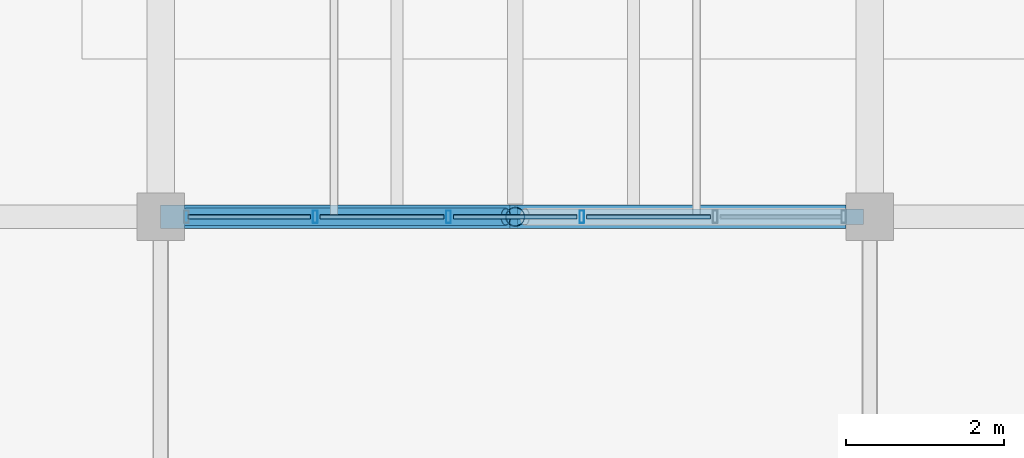
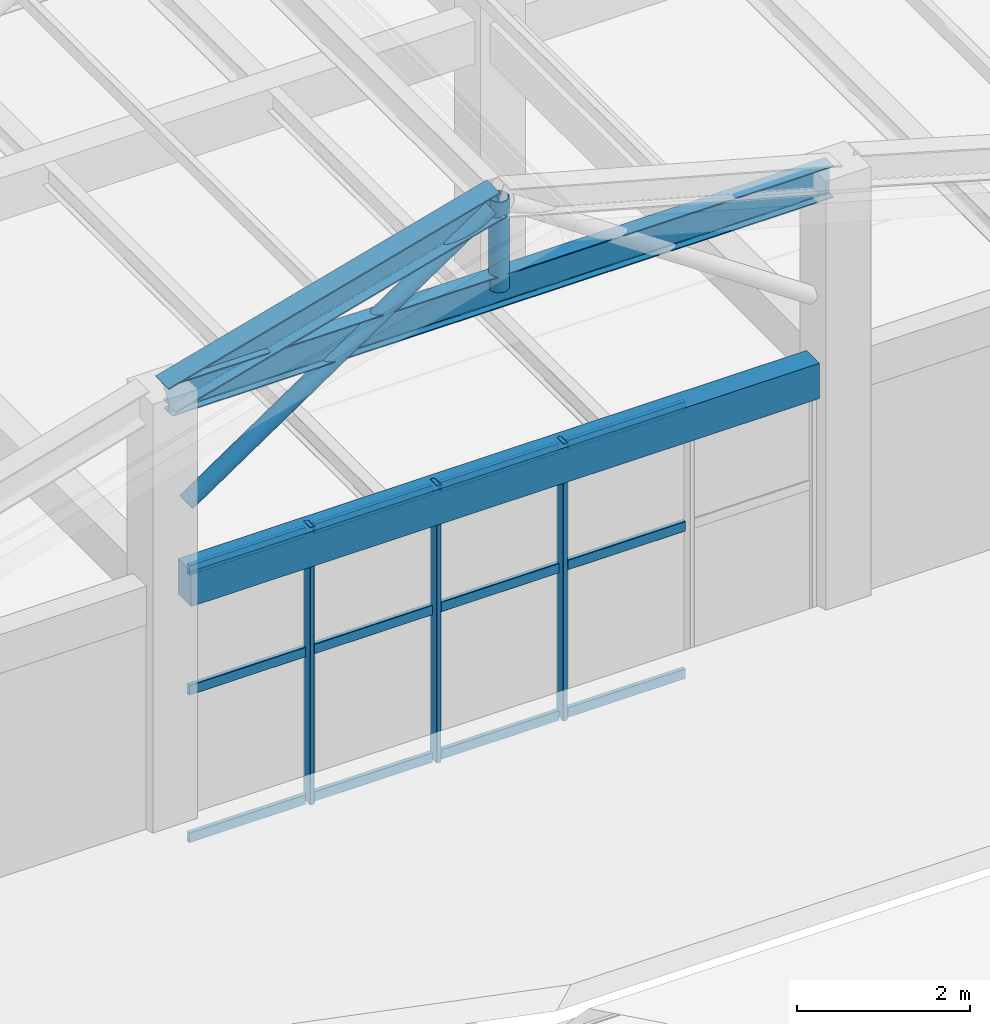
# One storey, part 10 of 58: 18 members, 2 beams, 1 element without a shape of its own.
"""IFC4 building model written with IfcOpenShell, lengths in metres."""

from ifc_helpers import new_model, si_unit, derived_unit, direction, frame, origin, origin_2d, place, context, subcontext, project, spatial, rectangle, hollow_rectangle, hollow_circle, i_section, extrude, material, material_profile, profile_set, type_object, element, aggregate, save


model = new_model("IFC4")

# Units and contexts
model_context = context("Model", 3, precision=1e-05, world=origin(), true_north=direction((0.0, 1.0)))
body_context = subcontext(model_context, "Body", "Model", "MODEL_VIEW")
ifc_project = project(units=[si_unit("LENGTHUNIT", "METRE"), si_unit("AREAUNIT", "SQUARE_METRE"), si_unit("VOLUMEUNIT", "CUBIC_METRE"), si_unit("PLANEANGLEUNIT", "RADIAN"), si_unit("MASSUNIT", "GRAM", prefix="KILO"), derived_unit("THERMALTRANSMITTANCEUNIT", [(si_unit("MASSUNIT", "GRAM", prefix="KILO"), 1), (si_unit("TIMEUNIT", "SECOND"), -3), (si_unit("THERMODYNAMICTEMPERATUREUNIT", "KELVIN"), -1)])], contexts=[model_context])

# Site, building, storey
site_placement = place(None, origin())
site = spatial("IfcSite", under=ifc_project, at=site_placement, CompositionType="ELEMENT")
building_placement = place(site_placement, origin())
building = spatial("IfcBuilding", under=site, at=building_placement, Name="Zhenchuan Archway Interchange", CompositionType="ELEMENT")
storey_placement = place(building_placement, frame((0.0, 0.0, 22.800048828125)))
storey = spatial("IfcBuildingStorey", under=building, at=storey_placement, Name="L05", CompositionType="ELEMENT", Elevation=22.800048828125)

# Beam
ifc_material_1 = material(Name="Steel Q355", Category="steel")
ifc_material_profile_1 = material_profile(ifc_material_1, i_section(OverallWidth=0.300048828125, OverallDepth=0.389892578125, WebThickness=0.010009765625, FlangeThickness=0.01611328125, FilletRadius=0.02001953125, at=origin_2d()), Name="HM 390x300")
ifc_profile_set_1 = profile_set([ifc_material_profile_1], Name="Steel Q355")
beam_type_1 = type_object("IfcBeamType", Name="BM_STL_HM390", PredefinedType="BEAM", material=ifc_profile_set_1)
beam_1_placement = place(storey_placement, frame((153.050048828125, 24.0, 6.419921875), z_axis=(0.964108539649, 0.0, 0.265508425055), x_axis=(0.0, 1.0, 0.0)))
element("IfcBeam", 1, at=beam_1_placement, inside=storey, type_object=beam_type_1, Name="ROOF TRUSS command wing T1 west apex rafter", PredefinedType="BEAM", context=body_context, shape_type="SweptSolid", body=[
    extrude(i_section(OverallWidth=0.300048828125, OverallDepth=0.389892578125, WebThickness=0.010009765625, FlangeThickness=0.01611328125, FilletRadius=0.02001953125, at=origin_2d()), origin(), (0.0, 0.0, 1.0), 4.5947265625),
])

# Curtain wall, members
ifc_material_2 = material(Name="Anodised Aluminium", Category="aluminium")
curtain_wall_type = type_object("IfcCurtainWallType", Name="CW_UNIT_1", PredefinedType="NOTDEFINED", material=ifc_material_2)
curtain_wall_placement = place(storey_placement, origin())
curtain_wall = element("IfcCurtainWall", 2, at=curtain_wall_placement, inside=storey, type_object=curtain_wall_type, Name="Unitised curtain wall CW:L05:200", PredefinedType="NOTDEFINED")
ifc_material_profile_2 = material_profile(ifc_material_2, hollow_rectangle(XDim=0.06005859375, YDim=0.159912109375, WallThickness=0.00390625, InnerFilletRadius=0.00390625, OuterFilletRadius=0.008056640625, at=origin_2d()), Name="ALU 160x60x4")
ifc_profile_set_2 = profile_set([ifc_material_profile_2], Name="Anodised Aluminium")
member_type_1 = type_object("IfcMemberType", Name="CW_MUL_150", PredefinedType="MULLION", material=ifc_profile_set_2)
member_1_placement = place(storey_placement, frame((158.346435546875, 24.0, 0.0), z_axis=(0.0, 0.0, 1.0), x_axis=(1.0, 0.0, 0.0)))
member_1 = element("IfcMember", 3, at=member_1_placement, type_object=member_type_1, Name="CW:L05:200 mullion 2", PredefinedType="MULLION", context=body_context, shape_type="SweptSolid", body=[
    extrude(hollow_rectangle(XDim=0.06005859375, YDim=0.159912109375, WallThickness=0.00390625, InnerFilletRadius=0.00390625, OuterFilletRadius=0.008056640625, at=origin_2d()), origin(), (0.0, 0.0, 1.0), 3.919921875),
])
member_2_placement = place(storey_placement, frame((156.653564453125, 24.0, 0.0), z_axis=(0.0, 0.0, 1.0), x_axis=(1.0, 0.0, 0.0)))
member_2 = element("IfcMember", 4, at=member_2_placement, type_object=member_type_1, Name="CW:L05:200 mullion 3", PredefinedType="MULLION", context=body_context, shape_type="SweptSolid", body=[
    extrude(hollow_rectangle(XDim=0.06005859375, YDim=0.159912109375, WallThickness=0.00390625, InnerFilletRadius=0.00390625, OuterFilletRadius=0.008056640625, at=origin_2d()), origin(), (0.0, 0.0, 1.0), 3.919921875),
])
member_3_placement = place(storey_placement, frame((154.960693359375, 24.0, 0.0), z_axis=(0.0, 0.0, 1.0), x_axis=(1.0, 0.0, 0.0)))
member_3 = element("IfcMember", 5, at=member_3_placement, type_object=member_type_1, Name="CW:L05:200 mullion 4", PredefinedType="MULLION", context=body_context, shape_type="SweptSolid", body=[
    extrude(hollow_rectangle(XDim=0.06005859375, YDim=0.159912109375, WallThickness=0.00390625, InnerFilletRadius=0.00390625, OuterFilletRadius=0.008056640625, at=origin_2d()), origin(), (0.0, 0.0, 1.0), 3.919921875),
])
ifc_material_profile_3 = material_profile(ifc_material_2, hollow_rectangle(XDim=0.06005859375, YDim=0.139892578125, WallThickness=0.00341796875, InnerFilletRadius=0.00341796875, OuterFilletRadius=0.007080078125, at=origin_2d()), Name="ALU 140x60x3.5")
ifc_profile_set_3 = profile_set([ifc_material_profile_3], Name="Anodised Aluminium")
member_type_2 = type_object("IfcMemberType", Name="CW_TRN_140", PredefinedType="USERDEFINED", material=ifc_profile_set_3)
member_4_placement = place(storey_placement, frame((159.979248046875, 24.0, 0.06005859375), z_axis=(-1.0, 0.0, 0.0), x_axis=(0.0, -1.0, 0.0)))
member_4 = element("IfcMember", 6, at=member_4_placement, type_object=member_type_2, Name="CW:L05:200 transom 1-1", ObjectType="TRANSOM", PredefinedType="USERDEFINED", context=body_context, shape_type="SweptSolid", body=[
    extrude(hollow_rectangle(XDim=0.06005859375, YDim=0.139892578125, WallThickness=0.00341796875, InnerFilletRadius=0.00341796875, OuterFilletRadius=0.007080078125, at=origin_2d()), origin(), (0.0, 0.0, 1.0), 1.57275390625),
])
member_5_placement = place(storey_placement, frame((159.979248046875, 24.0, 2.14501953125), z_axis=(-1.0, 0.0, 0.0), x_axis=(0.0, -1.0, 0.0)))
member_5 = element("IfcMember", 7, at=member_5_placement, type_object=member_type_2, Name="CW:L05:200 transom 1-2", ObjectType="TRANSOM", PredefinedType="USERDEFINED", context=body_context, shape_type="SweptSolid", body=[
    extrude(hollow_rectangle(XDim=0.06005859375, YDim=0.139892578125, WallThickness=0.00341796875, InnerFilletRadius=0.00341796875, OuterFilletRadius=0.007080078125, at=origin_2d()), origin(), (0.0, 0.0, 1.0), 1.57275390625),
])
member_6_placement = place(storey_placement, frame((159.979248046875, 24.0, 3.83984375), z_axis=(-1.0, 0.0, 0.0), x_axis=(0.0, -1.0, 0.0)))
member_6 = element("IfcMember", 8, at=member_6_placement, type_object=member_type_2, Name="CW:L05:200 transom 1-3", ObjectType="TRANSOM", PredefinedType="USERDEFINED", context=body_context, shape_type="SweptSolid", body=[
    extrude(hollow_rectangle(XDim=0.06005859375, YDim=0.139892578125, WallThickness=0.00341796875, InnerFilletRadius=0.00341796875, OuterFilletRadius=0.007080078125, at=origin_2d()), origin(), (0.0, 0.0, 1.0), 1.57275390625),
])
member_7_placement = place(storey_placement, frame((158.286376953125, 24.0, 0.06005859375), z_axis=(-1.0, 0.0, 0.0), x_axis=(0.0, -1.0, 0.0)))
member_7 = element("IfcMember", 9, at=member_7_placement, type_object=member_type_2, Name="CW:L05:200 transom 2-1", ObjectType="TRANSOM", PredefinedType="USERDEFINED", context=body_context, shape_type="SweptSolid", body=[
    extrude(hollow_rectangle(XDim=0.06005859375, YDim=0.139892578125, WallThickness=0.00341796875, InnerFilletRadius=0.00341796875, OuterFilletRadius=0.007080078125, at=origin_2d()), origin(), (0.0, 0.0, 1.0), 1.57275390625),
])
member_8_placement = place(storey_placement, frame((158.286376953125, 24.0, 2.14501953125), z_axis=(-1.0, 0.0, 0.0), x_axis=(0.0, -1.0, 0.0)))
member_8 = element("IfcMember", 10, at=member_8_placement, type_object=member_type_2, Name="CW:L05:200 transom 2-2", ObjectType="TRANSOM", PredefinedType="USERDEFINED", context=body_context, shape_type="SweptSolid", body=[
    extrude(hollow_rectangle(XDim=0.06005859375, YDim=0.139892578125, WallThickness=0.00341796875, InnerFilletRadius=0.00341796875, OuterFilletRadius=0.007080078125, at=origin_2d()), origin(), (0.0, 0.0, 1.0), 1.57275390625),
])
member_9_placement = place(storey_placement, frame((158.286376953125, 24.0, 3.83984375), z_axis=(-1.0, 0.0, 0.0), x_axis=(0.0, -1.0, 0.0)))
member_9 = element("IfcMember", 11, at=member_9_placement, type_object=member_type_2, Name="CW:L05:200 transom 2-3", ObjectType="TRANSOM", PredefinedType="USERDEFINED", context=body_context, shape_type="SweptSolid", body=[
    extrude(hollow_rectangle(XDim=0.06005859375, YDim=0.139892578125, WallThickness=0.00341796875, InnerFilletRadius=0.00341796875, OuterFilletRadius=0.007080078125, at=origin_2d()), origin(), (0.0, 0.0, 1.0), 1.57275390625),
])
member_10_placement = place(storey_placement, frame((156.593505859375, 24.0, 0.06005859375), z_axis=(-1.0, 0.0, 0.0), x_axis=(0.0, -1.0, 0.0)))
member_10 = element("IfcMember", 12, at=member_10_placement, type_object=member_type_2, Name="CW:L05:200 transom 3-1", ObjectType="TRANSOM", PredefinedType="USERDEFINED", context=body_context, shape_type="SweptSolid", body=[
    extrude(hollow_rectangle(XDim=0.06005859375, YDim=0.139892578125, WallThickness=0.00341796875, InnerFilletRadius=0.00341796875, OuterFilletRadius=0.007080078125, at=origin_2d()), origin(), (0.0, 0.0, 1.0), 1.57275390625),
])
member_11_placement = place(storey_placement, frame((156.593505859375, 24.0, 2.14501953125), z_axis=(-1.0, 0.0, 0.0), x_axis=(0.0, -1.0, 0.0)))
member_11 = element("IfcMember", 13, at=member_11_placement, type_object=member_type_2, Name="CW:L05:200 transom 3-2", ObjectType="TRANSOM", PredefinedType="USERDEFINED", context=body_context, shape_type="SweptSolid", body=[
    extrude(hollow_rectangle(XDim=0.06005859375, YDim=0.139892578125, WallThickness=0.00341796875, InnerFilletRadius=0.00341796875, OuterFilletRadius=0.007080078125, at=origin_2d()), origin(), (0.0, 0.0, 1.0), 1.57275390625),
])
member_12_placement = place(storey_placement, frame((156.593505859375, 24.0, 3.83984375), z_axis=(-1.0, 0.0, 0.0), x_axis=(0.0, -1.0, 0.0)))
member_12 = element("IfcMember", 14, at=member_12_placement, type_object=member_type_2, Name="CW:L05:200 transom 3-3", ObjectType="TRANSOM", PredefinedType="USERDEFINED", context=body_context, shape_type="SweptSolid", body=[
    extrude(hollow_rectangle(XDim=0.06005859375, YDim=0.139892578125, WallThickness=0.00341796875, InnerFilletRadius=0.00341796875, OuterFilletRadius=0.007080078125, at=origin_2d()), origin(), (0.0, 0.0, 1.0), 1.57275390625),
])
member_13_placement = place(storey_placement, frame((154.90087890625, 24.0, 0.06005859375), z_axis=(-1.0, 0.0, 0.0), x_axis=(0.0, -1.0, 0.0)))
member_13 = element("IfcMember", 15, at=member_13_placement, type_object=member_type_2, Name="CW:L05:200 transom 4-1", ObjectType="TRANSOM", PredefinedType="USERDEFINED", context=body_context, shape_type="SweptSolid", body=[
    extrude(hollow_rectangle(XDim=0.06005859375, YDim=0.139892578125, WallThickness=0.00341796875, InnerFilletRadius=0.00341796875, OuterFilletRadius=0.007080078125, at=origin_2d()), origin(), (0.0, 0.0, 1.0), 1.552978515625),
])
member_14_placement = place(storey_placement, frame((154.90087890625, 24.0, 2.14501953125), z_axis=(-1.0, 0.0, 0.0), x_axis=(0.0, -1.0, 0.0)))
member_14 = element("IfcMember", 16, at=member_14_placement, type_object=member_type_2, Name="CW:L05:200 transom 4-2", ObjectType="TRANSOM", PredefinedType="USERDEFINED", context=body_context, shape_type="SweptSolid", body=[
    extrude(hollow_rectangle(XDim=0.06005859375, YDim=0.139892578125, WallThickness=0.00341796875, InnerFilletRadius=0.00341796875, OuterFilletRadius=0.007080078125, at=origin_2d()), origin(), (0.0, 0.0, 1.0), 1.552978515625),
])
member_15_placement = place(storey_placement, frame((154.90087890625, 24.0, 3.83984375), z_axis=(-1.0, 0.0, 0.0), x_axis=(0.0, -1.0, 0.0)))
member_15 = element("IfcMember", 17, at=member_15_placement, type_object=member_type_2, Name="CW:L05:200 transom 4-3", ObjectType="TRANSOM", PredefinedType="USERDEFINED", context=body_context, shape_type="SweptSolid", body=[
    extrude(hollow_rectangle(XDim=0.06005859375, YDim=0.139892578125, WallThickness=0.00341796875, InnerFilletRadius=0.00341796875, OuterFilletRadius=0.007080078125, at=origin_2d()), origin(), (0.0, 0.0, 1.0), 1.552978515625),
])
aggregate(curtain_wall, [member_1, member_2, member_3, member_4, member_5, member_6, member_7, member_8, member_9, member_10, member_11, member_12, member_13, member_14, member_15])

# Members
ifc_material_profile_4 = material_profile(ifc_material_1, i_section(OverallWidth=0.199951171875, OverallDepth=0.449951171875, WebThickness=0.009033203125, FlangeThickness=0.013916015625, FilletRadius=0.01806640625, at=origin_2d()), Name="HN 450x200")
ifc_profile_set_4 = profile_set([ifc_material_profile_4], Name="Steel Q355")
member_type_3 = type_object("IfcMemberType", Name="MB_CHD_HN450", PredefinedType="CHORD", material=ifc_profile_set_4)
member_16_placement = place(storey_placement, frame((153.080078125, 24.0, 6.3798828125), z_axis=(1.0, 0.0, 0.0), x_axis=(0.0, 1.0, 0.0)))
element("IfcMember", 18, at=member_16_placement, inside=storey, type_object=member_type_3, Name="ROOF TRUSS command wing T1 ridge collar tie", PredefinedType="CHORD", context=body_context, shape_type="SweptSolid", body=[
    extrude(i_section(OverallWidth=0.199951171875, OverallDepth=0.449951171875, WebThickness=0.009033203125, FlangeThickness=0.013916015625, FilletRadius=0.01806640625, at=origin_2d()), origin(), (0.0, 0.0, 1.0), 8.83984375),
])
ifc_material_profile_5 = material_profile(ifc_material_1, hollow_circle(Radius=0.109619140625, WallThickness=0.008056640625, at=origin_2d()), Name="CHS 219x8")
ifc_profile_set_5 = profile_set([ifc_material_profile_5], Name="Steel Q355")
member_type_4 = type_object("IfcMemberType", Name="MB_CHS219", PredefinedType="BRACE", material=ifc_profile_set_5)
member_17_placement = place(storey_placement, frame((153.320068359375, 24.0, 4.800048828125), z_axis=(0.827937334182, 0.0, 0.560820622541), x_axis=(0.0, 1.0, 0.0)))
element("IfcMember", 19, at=member_17_placement, inside=storey, type_object=member_type_4, Name="ROOF TRUSS command wing T1 west apex diagonal", PredefinedType="BRACE", context=body_context, shape_type="SweptSolid", body=[
    extrude(hollow_circle(Radius=0.109619140625, WallThickness=0.008056640625, at=origin_2d()), origin(), (0.0, 0.0, 1.0), 4.903564453125),
])
ifc_material_profile_6 = material_profile(ifc_material_1, hollow_circle(Radius=0.12255859375, WallThickness=0.010009765625, at=origin_2d()), Name="CHS 245x10")
ifc_profile_set_6 = profile_set([ifc_material_profile_6], Name="Steel Q355")
member_type_5 = type_object("IfcMemberType", Name="MB_CHS245", PredefinedType="BRACE", material=ifc_profile_set_6)
member_18_placement = place(storey_placement, frame((157.5, 24.0, 6.3798828125), z_axis=(0.0, 0.0, 1.0), x_axis=(1.0, 0.0, 0.0)))
element("IfcMember", 20, at=member_18_placement, inside=storey, type_object=member_type_5, Name="ROOF TRUSS command wing T1 apex king-post", PredefinedType="BRACE", context=body_context, shape_type="SweptSolid", body=[
    extrude(hollow_circle(Radius=0.12255859375, WallThickness=0.010009765625, at=origin_2d()), origin(), (0.0, 0.0, 1.0), 1.280029296875),
])

# Beam
ifc_material_3 = material(Name="Concrete C40", Category="concrete")
ifc_material_profile_7 = material_profile(ifc_material_3, rectangle(XDim=0.300048828125, YDim=0.5, at=origin_2d()), Name="RC 300x500")
ifc_profile_set_7 = profile_set([ifc_material_profile_7], Name="Concrete C40")
beam_type_2 = type_object("IfcBeamType", Name="SP_RC_300x500", PredefinedType="SPANDREL", material=ifc_profile_set_7)
beam_2_placement = place(storey_placement, frame((153.300048828125, 24.0, 3.669921875), z_axis=(1.0, 0.0, 0.0), x_axis=(0.0, 1.0, 0.0)))
element("IfcBeam", 21, at=beam_2_placement, inside=storey, type_object=beam_type_2, Name="Beam D:18-19 (L05)", PredefinedType="SPANDREL", context=body_context, shape_type="SweptSolid", body=[
    extrude(rectangle(XDim=0.300048828125, YDim=0.5, at=origin_2d()), origin(), (0.0, 0.0, 1.0), 8.39990234375),
])

save(model, "model.ifc")
